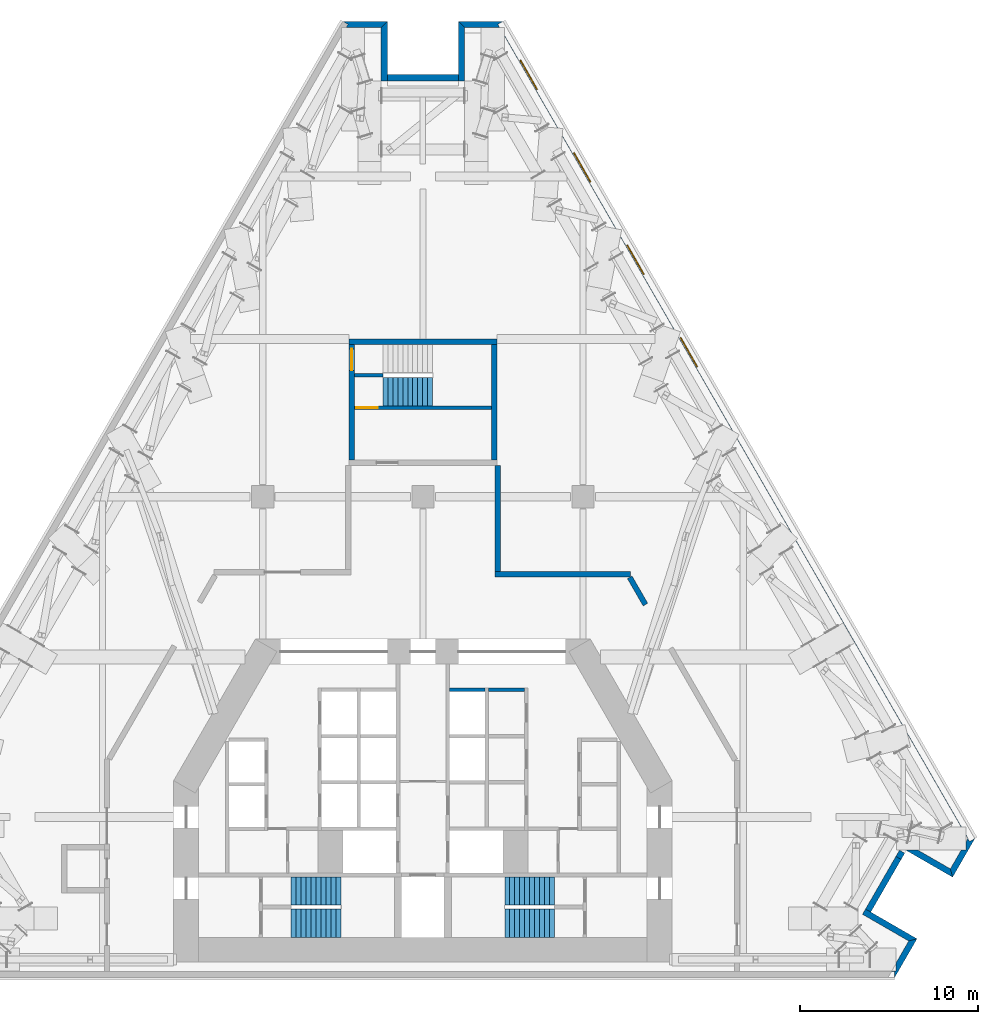
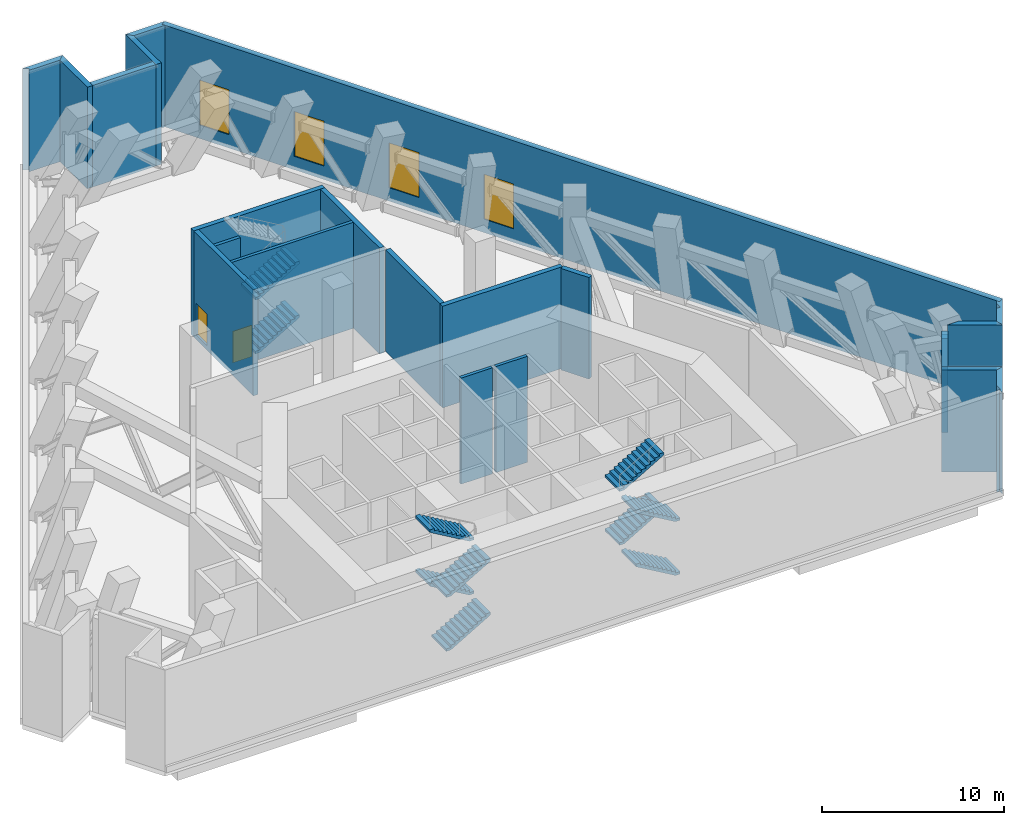
# One storey, part 8 of 12: 22 walls, 10 stair flights, 4 windows, 2 doors, 6 openings, 3 elements without a shape of their own.
"""IFC4 building model written with IfcOpenShell, lengths in metres."""

from ifc_helpers import new_model, si_unit, direction, frame, frame_2d, origin, place, context, subcontext, project, spatial, polyline, rectangle, outline, extrude, material, layer, layer_set, type_object, element, fill, aggregate, save


model = new_model("IFC4")

# Units and contexts
model_context = context("Model", 3, precision=1e-05, world=origin(), true_north=direction((0.0, 1.0)))
body_context = subcontext(model_context, "Body", "Model", "MODEL_VIEW")
ifc_project = project(units=[si_unit("LENGTHUNIT", "METRE"), si_unit("AREAUNIT", "SQUARE_METRE"), si_unit("VOLUMEUNIT", "CUBIC_METRE"), si_unit("PLANEANGLEUNIT", "RADIAN"), si_unit("MASSUNIT", "GRAM", prefix="KILO")], contexts=[model_context])

# Site, building, storey
site_placement = place(None, origin())
site = spatial("IfcSite", under=ifc_project, at=site_placement, CompositionType="ELEMENT")
building_placement = place(site_placement, origin())
building = spatial("IfcBuilding", under=site, at=building_placement, Name="Fogline Exchange Tower", CompositionType="ELEMENT")
storey_placement = place(building_placement, frame((0.0, 0.0, 88.89990234375)))
storey = spatial("IfcBuildingStorey", under=building, at=storey_placement, Name="L19", CompositionType="ELEMENT", Elevation=88.89990234375)

# Wall
ifc_material_1 = material(Name="Concrete C40", Category="concrete")
ifc_layer_1 = layer(ifc_material_1, 0.199951171875)
ifc_layer_set_1 = layer_set([ifc_layer_1], Name="CW20B")
wall_type_1 = type_object("IfcWallType", Name="CW20B", PredefinedType="SOLIDWALL", material=ifc_layer_set_1)
wall_1_placement = place(storey_placement, frame((-3.85009765625, 33.83203125, 0.0), z_axis=(0.0, 0.0, 1.0), x_axis=(1.0, 0.0, 0.0)))
element("IfcWall", 1, at=wall_1_placement, inside=storey, type_object=wall_type_1, Name="Stair separation wall ST3", PredefinedType="SOLIDWALL", context=body_context, shape_type="SweptSolid", body=[
    extrude(rectangle(XDim=1.60009765625, YDim=0.199951171875, at=frame_2d((0.800048828125, 0.0))), origin(), (0.0, 0.0, 1.0), 6.800048828125),
])

# Wall, opening, door
ifc_layer_2 = layer(ifc_material_1, 0.199951171875)
ifc_layer_set_2 = layer_set([ifc_layer_2], Name="CW20R")
wall_type_2 = type_object("IfcWallType", Name="CW20R", PredefinedType="SOLIDWALL", material=ifc_layer_set_2)
wall_2_placement = place(storey_placement, frame((-3.85009765625, 32.007080078125, -0.2998046875), z_axis=(0.0, 0.0, 1.0), x_axis=(1.0, 0.0, 0.0)))
wall_2 = element("IfcWall", 2, at=wall_2_placement, inside=storey, type_object=wall_type_2, Name="Stair enclosure wall ST3", PredefinedType="SOLIDWALL", context=body_context, shape_type="SweptSolid", body=[
    extrude(rectangle(XDim=7.7001953125, YDim=0.199951171875, at=frame_2d((3.85009765625, 0.0))), origin(), (0.0, 0.0, 1.0), 7.099853515625),
])
opening_1_placement = place(wall_2_placement, frame((0.10009765625, 0.0, 0.300048828125)))
opening_1 = element("IfcOpeningElement", 3, at=opening_1_placement, cuts=wall_2, Name="Opening L19-C024", PredefinedType="OPENING", context=body_context, shape_type="SweptSolid", body=[
    extrude(rectangle(XDim=1.199951171875, YDim=2.10009765625, at=frame_2d((0.60009765625, 1.050048828125))), frame((0.0, 0.10986328125, 0.0), z_axis=(0.0, -1.0, 0.0), x_axis=(1.0, 0.0, 0.0)), (0.0, 0.0, 1.0), 0.219970703125),
])
ifc_material_2 = material(Name="Steel and timber fire door", Category="steel")
door_type = type_object("IfcDoorType", Name="D-ST1", OperationType="SINGLE_SWING_LEFT", PredefinedType="DOOR", material=ifc_material_2)
door_1_placement = place(opening_1_placement, origin())
door_1 = element("IfcDoor", 4, at=door_1_placement, inside=storey, type_object=door_type, Name="Stair door ST3", OperationType="SINGLE_SWING_LEFT", OverallHeight=2.10009765625, OverallWidth=1.199951171875, PredefinedType="DOOR", context=body_context, shape_type="SweptSolid", body=[
    extrude(rectangle(XDim=1.199951171875, YDim=2.10009765625, at=frame_2d((0.60009765625, 1.050048828125))), frame((0.0, 0.02490234375, 0.0), z_axis=(0.0, -1.0, 0.0), x_axis=(1.0, 0.0, 0.0)), (0.0, 0.0, 1.0), 0.050048828125),
])
fill(opening_1, door_1)

# Walls
ifc_layer_3 = layer(ifc_material_1, 0.199951171875)
ifc_layer_set_3 = layer_set([ifc_layer_3], Name="CW20S")
wall_type_3 = type_object("IfcWallType", Name="CW20S", PredefinedType="SOLIDWALL", material=ifc_layer_set_3)
for number, where, z_axis, x_axis, name in (
    (5, (3.699951171875, 16.14990234375, -0.2998046875), (0.0, 0.0, 1.0), (1.0, 0.0, 0.0), "Lift shaft wall"),
    (6, (1.5, 16.14990234375, -0.2998046875), (0.0, 0.0, 1.0), (1.0, 0.0, 0.0), "Lift shaft wall"),
):
    element("IfcWall", number, at=place(storey_placement, frame(where, z_axis=z_axis, x_axis=x_axis)), inside=storey, type_object=wall_type_3, Name=name, PredefinedType="SOLIDWALL", context=body_context, shape_type="SweptSolid", body=[
        extrude(rectangle(XDim=2.0, YDim=0.199951171875, at=frame_2d((1.0, 0.0))), origin(), (0.0, 0.0, 1.0), 7.099853515625),
    ])
ifc_layer_4 = layer(ifc_material_1, 0.300048828125)
ifc_layer_set_4 = layer_set([ifc_layer_4], Name="CW30")
wall_type_4 = type_object("IfcWallType", Name="CW30", PredefinedType="SOLIDWALL", material=ifc_layer_set_4)
wall_3_placement = place(storey_placement, frame((-4.14990234375, 35.70703125, -0.2998046875), z_axis=(0.0, 0.0, 1.0), x_axis=(1.0, 0.0, 0.0)))
element("IfcWall", 7, at=wall_3_placement, inside=storey, type_object=wall_type_4, Name="Stair enclosure wall ST3", PredefinedType="SOLIDWALL", context=body_context, shape_type="SweptSolid", body=[
    extrude(rectangle(XDim=8.2998046875, YDim=0.300048828125, at=frame_2d((4.14990234375, 0.0))), origin(), (0.0, 0.0, 1.0), 7.099853515625),
])

# Wall, opening, door
wall_4_placement = place(storey_placement, frame((-4.0, 29.056884765625, -0.2998046875), z_axis=(0.0, 0.0, 1.0), x_axis=(0.0, 1.0, 0.0)))
wall_4 = element("IfcWall", 8, at=wall_4_placement, inside=storey, type_object=wall_type_4, Name="Stair enclosure wall ST3", PredefinedType="SOLIDWALL", context=body_context, shape_type="SweptSolid", body=[
    extrude(rectangle(XDim=6.5, YDim=0.300048828125, at=frame_2d((3.25, 0.0))), origin(), (0.0, 0.0, 1.0), 7.099853515625),
])
opening_2_placement = place(wall_4_placement, frame((5.050048828125, 0.0, 0.300048828125)))
opening_2 = element("IfcOpeningElement", 9, at=opening_2_placement, cuts=wall_4, Name="Opening L19-C025", PredefinedType="OPENING", context=body_context, shape_type="SweptSolid", body=[
    extrude(rectangle(XDim=1.199951171875, YDim=2.10009765625, at=frame_2d((0.60009765625, 1.050048828125))), frame((0.0, 0.16015625, 0.0), z_axis=(0.0, -1.0, 0.0), x_axis=(1.0, 0.0, 0.0)), (0.0, 0.0, 1.0), 0.320068359375),
])
door_2_placement = place(opening_2_placement, origin())
door_2 = element("IfcDoor", 10, at=door_2_placement, inside=storey, type_object=door_type, Name="Stair arrival door ST3", OperationType="SINGLE_SWING_RIGHT", OverallHeight=2.10009765625, OverallWidth=1.199951171875, PredefinedType="DOOR", context=body_context, shape_type="SweptSolid", body=[
    extrude(rectangle(XDim=1.199951171875, YDim=2.10009765625, at=frame_2d((0.60009765625, 1.050048828125))), frame((0.0, 0.02490234375, 0.0), z_axis=(0.0, -1.0, 0.0), x_axis=(1.0, 0.0, 0.0)), (0.0, 0.0, 1.0), 0.050048828125),
])
fill(opening_2, door_2)

# Walls
wall_5_placement = place(storey_placement, frame((4.0, 29.056884765625, -0.2998046875), z_axis=(0.0, 0.0, 1.0), x_axis=(0.0, 1.0, 0.0)))
element("IfcWall", 11, at=wall_5_placement, inside=storey, type_object=wall_type_4, Name="Stair enclosure wall ST3", PredefinedType="SOLIDWALL", context=body_context, shape_type="SweptSolid", body=[
    extrude(rectangle(XDim=6.5, YDim=0.300048828125, at=frame_2d((3.25, 0.0))), origin(), (0.0, 0.0, 1.0), 7.099853515625),
])
ifc_material_3 = material(Name="Brick masonry", Category="masonry")
ifc_layer_5 = layer(ifc_material_3, 0.340087890625)
ifc_layer_set_5 = layer_set([ifc_layer_5], Name="FW3")
wall_type_5 = type_object("IfcWallType", Name="FW3", PredefinedType="SOLIDWALL", material=ifc_layer_set_5)
wall_6_placement = place(storey_placement, origin())
element("IfcWall", 12, at=wall_6_placement, inside=storey, type_object=wall_type_5, Name="Brick wall L19 SE-c1", PredefinedType="SOLIDWALL", context=body_context, shape_type="SweptSolid", body=[
    extrude(outline(polyline([(27.761474609375, 2.165771484375), (26.510498046875, -0.001220703125), (26.509765625, -0.0009765625), (26.509765625, 0.33935546875), (26.31298828125, 0.33935546875), (26.3193359375, 0.35009765625), (26.5830078125, 0.35009765625), (26.5830078125, 0.80712890625), (27.295654296875, 2.041015625), (27.76123046875, 2.166015625), (27.761474609375, 2.165771484375)])), origin(), (0.0, 0.0, 1.0), 6.800048828125),
])
wall_7_placement = place(storey_placement, origin())
element("IfcWall", 13, at=wall_7_placement, inside=storey, type_object=wall_type_5, Name="Brick wall L19 SE-s1", PredefinedType="SOLIDWALL", context=body_context, shape_type="SweptSolid", body=[
    extrude(outline(polyline([(24.697021484375, 3.540283203125), (24.86767578125, 3.8359375), (25.16259765625, 3.66552734375), (27.76171875, 2.1650390625), (27.76171875, 2.164794921875), (27.2958984375, 2.0400390625), (24.697021484375, 3.540283203125)])), origin(), (0.0, 0.0, 1.0), 6.800048828125),
])
wall_8_placement = place(storey_placement, frame((25.01513671875, 3.75, 0.0), z_axis=(0.0, 0.0, 1.0), x_axis=(0.499982281718, 0.866035633198, 0.0)))
element("IfcWall", 14, at=wall_8_placement, inside=storey, type_object=wall_type_5, Name="Brick wall L19 SE-bk", PredefinedType="SOLIDWALL", context=body_context, shape_type="SweptSolid", body=[
    extrude(rectangle(XDim=3.416015625, YDim=0.340087890625, at=frame_2d((1.7080078125, 0.0))), origin(), (0.0, 0.0, 1.0), 6.800048828125),
])
wall_9_placement = place(storey_placement, frame((26.72314453125, 6.70849609375, 0.0), z_axis=(0.0, 0.0, 1.0), x_axis=(0.500418219013, 0.865783810244, 0.0)))
element("IfcWall", 15, at=wall_9_placement, inside=storey, type_object=wall_type_5, Name="Brick wall L19 SE-bk", PredefinedType="SOLIDWALL", context=body_context, shape_type="SweptSolid", body=[
    extrude(rectangle(XDim=0.405029296875, YDim=0.340087890625, at=frame_2d((0.20263671875, 0.0))), origin(), (0.0, 0.0, 1.0), 6.300048828125),
])
wall_10_placement = place(storey_placement, origin())
element("IfcWall", 16, at=wall_10_placement, inside=storey, type_object=wall_type_5, Name="Brick wall L19 SE-s2", PredefinedType="SOLIDWALL", context=body_context, shape_type="SweptSolid", body=[
    extrude(outline(polyline([(29.760986328125, 5.628173828125), (27.162109375, 7.128662109375), (27.135009765625, 7.144287109375), (27.817626953125, 7.144287109375), (29.636474609375, 6.093994140625), (29.76123046875, 5.62841796875), (29.760986328125, 5.628173828125)])), origin(), (0.0, 0.0, 1.0), 6.800048828125),
])
wall_11_placement = place(storey_placement, origin())
element("IfcWall", 17, at=wall_11_placement, inside=storey, type_object=wall_type_5, Name="Brick wall L19 SE-c2", PredefinedType="SOLIDWALL", context=body_context, shape_type="SweptSolid", body=[
    extrude(outline(polyline([(30.241943359375, 7.144287109375), (30.505615234375, 7.144287109375), (30.505615234375, 7.601318359375), (30.617919921875, 7.79541015625), (30.71630859375, 7.625), (31.010986328125, 7.79541015625), (31.011474609375, 7.794921875), (29.760498046875, 5.6279296875), (29.760009765625, 5.6279296875), (29.63525390625, 6.09375), (30.241943359375, 7.144287109375)])), origin(), (0.0, 0.0, 1.0), 6.800048828125),
])

# Wall, openings, windows
wall_12_placement = place(storey_placement, frame((30.86328125, 7.709228515625, 0.0), z_axis=(0.0, 0.0, 1.0), x_axis=(-0.500000400847, 0.866025172355, 0.0)))
wall_12 = element("IfcWall", 18, at=wall_12_placement, inside=storey, type_object=wall_type_5, Name="Brick wall L19 E", PredefinedType="SOLIDWALL", context=body_context, shape_type="SweptSolid", body=[
    extrude(rectangle(XDim=53.02099609375, YDim=0.340087890625, at=frame_2d((26.510498046875, 0.0))), origin(), (0.0, 0.0, 1.0), 6.800048828125),
])
opening_3_placement = place(wall_12_placement, frame((30.755126953125, 0.0, 0.89990234375)))
opening_3 = element("IfcOpeningElement", 19, at=opening_3_placement, cuts=wall_12, Name="Opening W6", PredefinedType="OPENING", context=body_context, shape_type="SweptSolid", body=[
    extrude(rectangle(XDim=1.885009765625, YDim=3.0, at=frame_2d((0.9423828125, 1.5))), frame((0.0, 0.18017578125, 0.0), z_axis=(0.0, -1.0, 0.0), x_axis=(1.0, 0.0, 0.0)), (0.0, 0.0, 1.0), 0.360107421875),
])
opening_4_placement = place(wall_12_placement, frame((36.755126953125, 0.0, 0.89990234375)))
opening_4 = element("IfcOpeningElement", 20, at=opening_4_placement, cuts=wall_12, Name="Opening W6", PredefinedType="OPENING", context=body_context, shape_type="SweptSolid", body=[
    extrude(rectangle(XDim=1.885009765625, YDim=3.0, at=frame_2d((0.9423828125, 1.5))), frame((0.0, 0.18017578125, 0.0), z_axis=(0.0, -1.0, 0.0), x_axis=(1.0, 0.0, 0.0)), (0.0, 0.0, 1.0), 0.360107421875),
])
opening_5_placement = place(wall_12_placement, frame((42.755126953125, 0.0, 0.89990234375)))
opening_5 = element("IfcOpeningElement", 21, at=opening_5_placement, cuts=wall_12, Name="Opening W6", PredefinedType="OPENING", context=body_context, shape_type="SweptSolid", body=[
    extrude(rectangle(XDim=1.885009765625, YDim=3.0, at=frame_2d((0.9423828125, 1.5))), frame((0.0, 0.18017578125, 0.0), z_axis=(0.0, -1.0, 0.0), x_axis=(1.0, 0.0, 0.0)), (0.0, 0.0, 1.0), 0.360107421875),
])
opening_6_placement = place(wall_12_placement, frame((48.755126953125, 0.0, 0.89990234375)))
opening_6 = element("IfcOpeningElement", 22, at=opening_6_placement, cuts=wall_12, Name="Opening W6", PredefinedType="OPENING", context=body_context, shape_type="SweptSolid", body=[
    extrude(rectangle(XDim=1.885009765625, YDim=3.0, at=frame_2d((0.9423828125, 1.5))), frame((0.0, 0.18017578125, 0.0), z_axis=(0.0, -1.0, 0.0), x_axis=(1.0, 0.0, 0.0)), (0.0, 0.0, 1.0), 0.360107421875),
])
ifc_material_4 = material(Name="Aluminium louvre", Category="aluminium")
window_type = type_object("IfcWindowType", Name="W6", PartitioningType="SINGLE_PANEL", PredefinedType="WINDOW", material=ifc_material_4)
window_1_placement = place(opening_3_placement, origin())
window_1 = element("IfcWindow", 23, at=window_1_placement, inside=storey, type_object=window_type, Name="W6 W6", OverallHeight=3.0, OverallWidth=1.885009765625, PartitioningType="SINGLE_PANEL", PredefinedType="WINDOW", context=body_context, shape_type="SweptSolid", body=[
    extrude(rectangle(XDim=1.885009765625, YDim=3.0, at=frame_2d((0.9423828125, 1.5))), frame((0.0, 0.110107421875, 0.0), z_axis=(0.0, -1.0, 0.0), x_axis=(1.0, 0.0, 0.0)), (0.0, 0.0, 1.0), 0.06005859375),
])
fill(opening_3, window_1)
window_2_placement = place(opening_4_placement, origin())
window_2 = element("IfcWindow", 24, at=window_2_placement, inside=storey, type_object=window_type, Name="W6 W6", OverallHeight=3.0, OverallWidth=1.885009765625, PartitioningType="SINGLE_PANEL", PredefinedType="WINDOW", context=body_context, shape_type="SweptSolid", body=[
    extrude(rectangle(XDim=1.885009765625, YDim=3.0, at=frame_2d((0.9423828125, 1.5))), frame((0.0, 0.110107421875, 0.0), z_axis=(0.0, -1.0, 0.0), x_axis=(1.0, 0.0, 0.0)), (0.0, 0.0, 1.0), 0.06005859375),
])
fill(opening_4, window_2)
window_3_placement = place(opening_5_placement, origin())
window_3 = element("IfcWindow", 25, at=window_3_placement, inside=storey, type_object=window_type, Name="W6 W6", OverallHeight=3.0, OverallWidth=1.885009765625, PartitioningType="SINGLE_PANEL", PredefinedType="WINDOW", context=body_context, shape_type="SweptSolid", body=[
    extrude(rectangle(XDim=1.885009765625, YDim=3.0, at=frame_2d((0.9423828125, 1.5))), frame((0.0, 0.110107421875, 0.0), z_axis=(0.0, -1.0, 0.0), x_axis=(1.0, 0.0, 0.0)), (0.0, 0.0, 1.0), 0.06005859375),
])
fill(opening_5, window_3)
window_4_placement = place(opening_6_placement, origin())
window_4 = element("IfcWindow", 26, at=window_4_placement, inside=storey, type_object=window_type, Name="W6 W6", OverallHeight=3.0, OverallWidth=1.885009765625, PartitioningType="SINGLE_PANEL", PredefinedType="WINDOW", context=body_context, shape_type="SweptSolid", body=[
    extrude(rectangle(XDim=1.885009765625, YDim=3.0, at=frame_2d((0.9423828125, 1.5))), frame((0.0, 0.110107421875, 0.0), z_axis=(0.0, -1.0, 0.0), x_axis=(1.0, 0.0, 0.0)), (0.0, 0.0, 1.0), 0.06005859375),
])
fill(opening_6, window_4)

# Walls
wall_13_placement = place(storey_placement, origin())
element("IfcWall", 27, at=wall_13_placement, inside=storey, type_object=wall_type_5, Name="Brick wall L19 N-c1", PredefinedType="SOLIDWALL", context=body_context, shape_type="SweptSolid", body=[
    extrude(outline(polyline([(1.9990234375, 53.712158203125), (4.5009765625, 53.712158203125), (4.501220703125, 53.711669921875), (4.206298828125, 53.54150390625), (4.3046875, 53.37109375), (2.33984375, 53.37109375), (1.998779296875, 53.7119140625), (1.9990234375, 53.712158203125)])), origin(), (0.0, 0.0, 1.0), 6.800048828125),
])
wall_14_placement = place(storey_placement, origin())
element("IfcWall", 28, at=wall_14_placement, inside=storey, type_object=wall_type_5, Name="Brick wall L19 N-s1", PredefinedType="SOLIDWALL", context=body_context, shape_type="SweptSolid", body=[
    extrude(outline(polyline([(2.340576171875, 50.37109375), (1.99951171875, 50.37109375), (1.99951171875, 53.712646484375), (1.999755859375, 53.712890625), (2.340576171875, 53.371826171875), (2.340576171875, 50.37109375)])), origin(), (0.0, 0.0, 1.0), 6.800048828125),
])
wall_15_placement = place(storey_placement, frame((2.0, 50.541748046875, 0.0), z_axis=(0.0, 0.0, 1.0), x_axis=(-1.0, 0.0, 0.0)))
element("IfcWall", 29, at=wall_15_placement, inside=storey, type_object=wall_type_5, Name="Brick wall L19 N-bk", PredefinedType="SOLIDWALL", context=body_context, shape_type="SweptSolid", body=[
    extrude(rectangle(XDim=4.0, YDim=0.340087890625, at=frame_2d((2.0, 0.0))), origin(), (0.0, 0.0, 1.0), 6.800048828125),
])
wall_16_placement = place(storey_placement, origin())
element("IfcWall", 30, at=wall_16_placement, inside=storey, type_object=wall_type_5, Name="Brick wall L19 N-s2", PredefinedType="SOLIDWALL", context=body_context, shape_type="SweptSolid", body=[
    extrude(outline(polyline([(-1.99951171875, 53.712646484375), (-1.99951171875, 50.37109375), (-2.340576171875, 50.37109375), (-2.340576171875, 53.371826171875), (-1.999755859375, 53.712890625), (-1.99951171875, 53.712646484375)])), origin(), (0.0, 0.0, 1.0), 6.800048828125),
])
wall_17_placement = place(storey_placement, origin())
element("IfcWall", 31, at=wall_17_placement, inside=storey, type_object=wall_type_5, Name="Brick wall L19 N-c2", PredefinedType="SOLIDWALL", context=body_context, shape_type="SweptSolid", body=[
    extrude(outline(polyline([(-4.3046875, 53.37109375), (-4.206298828125, 53.54150390625), (-4.501220703125, 53.711669921875), (-4.5009765625, 53.712158203125), (-1.9990234375, 53.712158203125), (-1.998779296875, 53.7119140625), (-2.33984375, 53.37109375), (-4.3046875, 53.37109375)])), origin(), (0.0, 0.0, 1.0), 6.800048828125),
])
ifc_layer_6 = layer(ifc_material_1, 0.300048828125)
ifc_layer_set_6 = layer_set([ifc_layer_6], Name="PP4")
wall_type_6 = type_object("IfcWallType", Name="PP4", PredefinedType="SOLIDWALL", material=ifc_layer_set_6)
wall_18_placement = place(storey_placement, frame((4.050048828125, 22.64990234375, 0.0), z_axis=(0.0, 0.0, 1.0), x_axis=(1.0, 0.0, 0.0)))
element("IfcWall", 32, at=wall_18_placement, inside=storey, type_object=wall_type_6, Name="PP4 partition", PredefinedType="SOLIDWALL", context=body_context, shape_type="SweptSolid", body=[
    extrude(rectangle(XDim=7.618896484375, YDim=0.300048828125, at=frame_2d((3.8095703125, 0.0))), origin(), (0.0, 0.0, 1.0), 6.800048828125),
])
wall_19_placement = place(storey_placement, frame((4.199951171875, 28.757080078125, 0.0), z_axis=(0.0, 0.0, 1.0), x_axis=(0.0, -1.0, 0.0)))
element("IfcWall", 33, at=wall_19_placement, inside=storey, type_object=wall_type_6, Name="PP4 partition", PredefinedType="SOLIDWALL", context=body_context, shape_type="SweptSolid", body=[
    extrude(rectangle(XDim=5.95703125, YDim=0.300048828125, at=frame_2d((2.978515625, 0.0))), origin(), (0.0, 0.0, 1.0), 6.800048828125),
])
wall_20_placement = place(storey_placement, frame((11.621337890625, 22.472412109375, 0.0), z_axis=(0.0, 0.0, 1.0), x_axis=(0.500005731256, -0.866022094817, 0.0)))
element("IfcWall", 34, at=wall_20_placement, inside=storey, type_object=wall_type_6, Name="PP4 partition", PredefinedType="SOLIDWALL", context=body_context, shape_type="SweptSolid", body=[
    extrude(rectangle(XDim=1.765625, YDim=0.300048828125, at=frame_2d((0.8828125, 0.0))), origin(), (0.0, 0.0, 1.0), 6.800048828125),
])

# Stair, stair flights
stair_type = type_object("IfcStairType", Name="STR44-1636", PredefinedType="HALF_TURN_STAIR", material=ifc_material_1)
stair_1_placement = place(storey_placement, origin())
stair_1 = element("IfcStair", 35, at=stair_1_placement, inside=storey, type_object=stair_type, Name="Stair ST1", PredefinedType="HALF_TURN_STAIR")
stair_flight_type = type_object("IfcStairFlightType", Name="SF11-1636", PredefinedType="STRAIGHT", material=ifc_material_1)
stair_flight_1_placement = place(storey_placement, frame((-7.39990234375, 3.050048828125, 0.0), z_axis=(0.0, 0.0, 1.0), x_axis=(1.0, 0.0, 0.0)))
stair_flight_1 = element("IfcStairFlight", 36, at=stair_flight_1_placement, type_object=stair_flight_type, Name="ST1 flight 1", NumberOfRisers=11, NumberOfTreads=10, PredefinedType="STRAIGHT", RiserHeight=0.163636364, TreadLength=0.28, context=body_context, shape_type="SweptSolid", body=[
    extrude(outline(polyline([(0.0, 0.0), (0.0, 0.16357421875), (0.280029296875, 0.16357421875), (0.280029296875, 0.327392578125), (0.56005859375, 0.327392578125), (0.56005859375, 0.490966796875), (0.840087890625, 0.490966796875), (0.840087890625, 0.654541015625), (1.1201171875, 0.654541015625), (1.1201171875, 0.818115234375), (1.39990234375, 0.818115234375), (1.39990234375, 0.98193359375), (1.679931640625, 0.98193359375), (1.679931640625, 1.1455078125), (1.9599609375, 1.1455078125), (1.9599609375, 1.30908203125), (2.239990234375, 1.30908203125), (2.239990234375, 1.47265625), (2.52001953125, 1.47265625), (2.52001953125, 1.636474609375), (2.800048828125, 1.636474609375), (2.800048828125, 1.800048828125), (2.800048828125, 1.462646484375), (0.297119140625, 0.0), (0.0, 0.0)])), frame((0.0, 0.800048828125, 0.0), z_axis=(0.0, -1.0, 0.0), x_axis=(1.0, 0.0, 0.0)), (0.0, 0.0, 1.0), 1.60009765625),
])
stair_flight_2_placement = place(storey_placement, frame((-4.60009765625, 4.85009765625, 1.800048828125), z_axis=(0.0, 0.0, 1.0), x_axis=(-1.0, 0.0, 0.0)))
stair_flight_2 = element("IfcStairFlight", 37, at=stair_flight_2_placement, type_object=stair_flight_type, Name="ST1 flight 2", NumberOfRisers=11, NumberOfTreads=10, PredefinedType="STRAIGHT", RiserHeight=0.163636364, TreadLength=0.28, context=body_context, shape_type="SweptSolid", body=[
    extrude(outline(polyline([(0.0, 0.0), (0.0, 0.16357421875), (0.280029296875, 0.16357421875), (0.280029296875, 0.327392578125), (0.56005859375, 0.327392578125), (0.56005859375, 0.490966796875), (0.840087890625, 0.490966796875), (0.840087890625, 0.654541015625), (1.1201171875, 0.654541015625), (1.1201171875, 0.818115234375), (1.39990234375, 0.818115234375), (1.39990234375, 0.98193359375), (1.679931640625, 0.98193359375), (1.679931640625, 1.1455078125), (1.9599609375, 1.1455078125), (1.9599609375, 1.30908203125), (2.239990234375, 1.30908203125), (2.239990234375, 1.47265625), (2.52001953125, 1.47265625), (2.52001953125, 1.636474609375), (2.800048828125, 1.636474609375), (2.800048828125, 1.800048828125), (2.800048828125, 1.462646484375), (0.297119140625, 0.0), (0.0, 0.0)])), frame((0.0, 0.800048828125, 0.0), z_axis=(0.0, -1.0, 0.0), x_axis=(1.0, 0.0, 0.0)), (0.0, 0.0, 1.0), 1.60009765625),
])
stair_flight_3_placement = place(storey_placement, frame((-7.39990234375, 3.050048828125, 3.60009765625), z_axis=(0.0, 0.0, 1.0), x_axis=(1.0, 0.0, 0.0)))
stair_flight_3 = element("IfcStairFlight", 38, at=stair_flight_3_placement, type_object=stair_flight_type, Name="ST1 flight 3", NumberOfRisers=11, NumberOfTreads=10, PredefinedType="STRAIGHT", RiserHeight=0.163636364, TreadLength=0.28, context=body_context, shape_type="SweptSolid", body=[
    extrude(outline(polyline([(0.0, 0.0), (0.0, 0.16357421875), (0.280029296875, 0.16357421875), (0.280029296875, 0.327392578125), (0.56005859375, 0.327392578125), (0.56005859375, 0.490966796875), (0.840087890625, 0.490966796875), (0.840087890625, 0.654541015625), (1.1201171875, 0.654541015625), (1.1201171875, 0.818115234375), (1.39990234375, 0.818115234375), (1.39990234375, 0.98193359375), (1.679931640625, 0.98193359375), (1.679931640625, 1.1455078125), (1.9599609375, 1.1455078125), (1.9599609375, 1.30908203125), (2.239990234375, 1.30908203125), (2.239990234375, 1.47265625), (2.52001953125, 1.47265625), (2.52001953125, 1.636474609375), (2.800048828125, 1.636474609375), (2.800048828125, 1.800048828125), (2.800048828125, 1.462646484375), (0.297119140625, 0.0), (0.0, 0.0)])), frame((0.0, 0.800048828125, 0.0), z_axis=(0.0, -1.0, 0.0), x_axis=(1.0, 0.0, 0.0)), (0.0, 0.0, 1.0), 1.60009765625),
])
stair_flight_4_placement = place(storey_placement, frame((-4.60009765625, 4.85009765625, 5.400146484375), z_axis=(0.0, 0.0, 1.0), x_axis=(-1.0, 0.0, 0.0)))
stair_flight_4 = element("IfcStairFlight", 39, at=stair_flight_4_placement, type_object=stair_flight_type, Name="ST1 flight 4", NumberOfRisers=11, NumberOfTreads=10, PredefinedType="STRAIGHT", RiserHeight=0.163636364, TreadLength=0.28, context=body_context, shape_type="SweptSolid", body=[
    extrude(outline(polyline([(0.0, 0.0), (0.0, 0.16357421875), (0.280029296875, 0.16357421875), (0.280029296875, 0.327392578125), (0.56005859375, 0.327392578125), (0.56005859375, 0.490966796875), (0.840087890625, 0.490966796875), (0.840087890625, 0.654541015625), (1.1201171875, 0.654541015625), (1.1201171875, 0.818115234375), (1.39990234375, 0.818115234375), (1.39990234375, 0.98193359375), (1.679931640625, 0.98193359375), (1.679931640625, 1.1455078125), (1.9599609375, 1.1455078125), (1.9599609375, 1.30908203125), (2.239990234375, 1.30908203125), (2.239990234375, 1.47265625), (2.52001953125, 1.47265625), (2.52001953125, 1.636474609375), (2.800048828125, 1.636474609375), (2.800048828125, 1.800048828125), (2.800048828125, 1.462646484375), (0.297119140625, 0.0), (0.0, 0.0)])), frame((0.0, 0.800048828125, 0.0), z_axis=(0.0, -1.0, 0.0), x_axis=(1.0, 0.0, 0.0)), (0.0, 0.0, 1.0), 1.60009765625),
])
aggregate(stair_1, [stair_flight_1, stair_flight_2, stair_flight_3, stair_flight_4])

stair_2_placement = place(storey_placement, origin())
stair_2 = element("IfcStair", 40, at=stair_2_placement, inside=storey, type_object=stair_type, Name="Stair ST2", PredefinedType="HALF_TURN_STAIR")
stair_flight_5_placement = place(storey_placement, frame((7.39990234375, 3.050048828125, 0.0), z_axis=(0.0, 0.0, 1.0), x_axis=(-1.0, 0.0, 0.0)))
stair_flight_5 = element("IfcStairFlight", 41, at=stair_flight_5_placement, type_object=stair_flight_type, Name="ST2 flight 1", NumberOfRisers=11, NumberOfTreads=10, PredefinedType="STRAIGHT", RiserHeight=0.163636364, TreadLength=0.28, context=body_context, shape_type="SweptSolid", body=[
    extrude(outline(polyline([(0.0, 0.0), (0.0, 0.16357421875), (0.280029296875, 0.16357421875), (0.280029296875, 0.327392578125), (0.56005859375, 0.327392578125), (0.56005859375, 0.490966796875), (0.840087890625, 0.490966796875), (0.840087890625, 0.654541015625), (1.1201171875, 0.654541015625), (1.1201171875, 0.818115234375), (1.39990234375, 0.818115234375), (1.39990234375, 0.98193359375), (1.679931640625, 0.98193359375), (1.679931640625, 1.1455078125), (1.9599609375, 1.1455078125), (1.9599609375, 1.30908203125), (2.239990234375, 1.30908203125), (2.239990234375, 1.47265625), (2.52001953125, 1.47265625), (2.52001953125, 1.636474609375), (2.800048828125, 1.636474609375), (2.800048828125, 1.800048828125), (2.800048828125, 1.462646484375), (0.297119140625, 0.0), (0.0, 0.0)])), frame((0.0, 0.800048828125, 0.0), z_axis=(0.0, -1.0, 0.0), x_axis=(1.0, 0.0, 0.0)), (0.0, 0.0, 1.0), 1.60009765625),
])
stair_flight_6_placement = place(storey_placement, frame((4.60009765625, 4.85009765625, 1.800048828125), z_axis=(0.0, 0.0, 1.0), x_axis=(1.0, 0.0, 0.0)))
stair_flight_6 = element("IfcStairFlight", 42, at=stair_flight_6_placement, type_object=stair_flight_type, Name="ST2 flight 2", NumberOfRisers=11, NumberOfTreads=10, PredefinedType="STRAIGHT", RiserHeight=0.163636364, TreadLength=0.28, context=body_context, shape_type="SweptSolid", body=[
    extrude(outline(polyline([(0.0, 0.0), (0.0, 0.16357421875), (0.280029296875, 0.16357421875), (0.280029296875, 0.327392578125), (0.56005859375, 0.327392578125), (0.56005859375, 0.490966796875), (0.840087890625, 0.490966796875), (0.840087890625, 0.654541015625), (1.1201171875, 0.654541015625), (1.1201171875, 0.818115234375), (1.39990234375, 0.818115234375), (1.39990234375, 0.98193359375), (1.679931640625, 0.98193359375), (1.679931640625, 1.1455078125), (1.9599609375, 1.1455078125), (1.9599609375, 1.30908203125), (2.239990234375, 1.30908203125), (2.239990234375, 1.47265625), (2.52001953125, 1.47265625), (2.52001953125, 1.636474609375), (2.800048828125, 1.636474609375), (2.800048828125, 1.800048828125), (2.800048828125, 1.462646484375), (0.297119140625, 0.0), (0.0, 0.0)])), frame((0.0, 0.800048828125, 0.0), z_axis=(0.0, -1.0, 0.0), x_axis=(1.0, 0.0, 0.0)), (0.0, 0.0, 1.0), 1.60009765625),
])
stair_flight_7_placement = place(storey_placement, frame((7.39990234375, 3.050048828125, 3.60009765625), z_axis=(0.0, 0.0, 1.0), x_axis=(-1.0, 0.0, 0.0)))
stair_flight_7 = element("IfcStairFlight", 43, at=stair_flight_7_placement, type_object=stair_flight_type, Name="ST2 flight 3", NumberOfRisers=11, NumberOfTreads=10, PredefinedType="STRAIGHT", RiserHeight=0.163636364, TreadLength=0.28, context=body_context, shape_type="SweptSolid", body=[
    extrude(outline(polyline([(0.0, 0.0), (0.0, 0.16357421875), (0.280029296875, 0.16357421875), (0.280029296875, 0.327392578125), (0.56005859375, 0.327392578125), (0.56005859375, 0.490966796875), (0.840087890625, 0.490966796875), (0.840087890625, 0.654541015625), (1.1201171875, 0.654541015625), (1.1201171875, 0.818115234375), (1.39990234375, 0.818115234375), (1.39990234375, 0.98193359375), (1.679931640625, 0.98193359375), (1.679931640625, 1.1455078125), (1.9599609375, 1.1455078125), (1.9599609375, 1.30908203125), (2.239990234375, 1.30908203125), (2.239990234375, 1.47265625), (2.52001953125, 1.47265625), (2.52001953125, 1.636474609375), (2.800048828125, 1.636474609375), (2.800048828125, 1.800048828125), (2.800048828125, 1.462646484375), (0.297119140625, 0.0), (0.0, 0.0)])), frame((0.0, 0.800048828125, 0.0), z_axis=(0.0, -1.0, 0.0), x_axis=(1.0, 0.0, 0.0)), (0.0, 0.0, 1.0), 1.60009765625),
])
stair_flight_8_placement = place(storey_placement, frame((4.60009765625, 4.85009765625, 5.400146484375), z_axis=(0.0, 0.0, 1.0), x_axis=(1.0, 0.0, 0.0)))
stair_flight_8 = element("IfcStairFlight", 44, at=stair_flight_8_placement, type_object=stair_flight_type, Name="ST2 flight 4", NumberOfRisers=11, NumberOfTreads=10, PredefinedType="STRAIGHT", RiserHeight=0.163636364, TreadLength=0.28, context=body_context, shape_type="SweptSolid", body=[
    extrude(outline(polyline([(0.0, 0.0), (0.0, 0.16357421875), (0.280029296875, 0.16357421875), (0.280029296875, 0.327392578125), (0.56005859375, 0.327392578125), (0.56005859375, 0.490966796875), (0.840087890625, 0.490966796875), (0.840087890625, 0.654541015625), (1.1201171875, 0.654541015625), (1.1201171875, 0.818115234375), (1.39990234375, 0.818115234375), (1.39990234375, 0.98193359375), (1.679931640625, 0.98193359375), (1.679931640625, 1.1455078125), (1.9599609375, 1.1455078125), (1.9599609375, 1.30908203125), (2.239990234375, 1.30908203125), (2.239990234375, 1.47265625), (2.52001953125, 1.47265625), (2.52001953125, 1.636474609375), (2.800048828125, 1.636474609375), (2.800048828125, 1.800048828125), (2.800048828125, 1.462646484375), (0.297119140625, 0.0), (0.0, 0.0)])), frame((0.0, 0.800048828125, 0.0), z_axis=(0.0, -1.0, 0.0), x_axis=(1.0, 0.0, 0.0)), (0.0, 0.0, 1.0), 1.60009765625),
])
aggregate(stair_2, [stair_flight_5, stair_flight_6, stair_flight_7, stair_flight_8])

stair_3_placement = place(storey_placement, origin())
stair_3 = element("IfcStair", 45, at=stair_3_placement, inside=storey, type_object=stair_type, Name="Stair ST3", PredefinedType="HALF_TURN_STAIR")
stair_flight_9_placement = place(storey_placement, frame((-2.25, 32.906982421875, 0.0), z_axis=(0.0, 0.0, 1.0), x_axis=(1.0, 0.0, 0.0)))
stair_flight_9 = element("IfcStairFlight", 46, at=stair_flight_9_placement, type_object=stair_flight_type, Name="ST3 flight 1", NumberOfRisers=11, NumberOfTreads=10, PredefinedType="STRAIGHT", RiserHeight=0.163636364, TreadLength=0.28, context=body_context, shape_type="SweptSolid", body=[
    extrude(outline(polyline([(0.0, 0.0), (0.0, 0.16357421875), (0.280029296875, 0.16357421875), (0.280029296875, 0.327392578125), (0.56005859375, 0.327392578125), (0.56005859375, 0.490966796875), (0.840087890625, 0.490966796875), (0.840087890625, 0.654541015625), (1.1201171875, 0.654541015625), (1.1201171875, 0.818115234375), (1.39990234375, 0.818115234375), (1.39990234375, 0.98193359375), (1.679931640625, 0.98193359375), (1.679931640625, 1.1455078125), (1.9599609375, 1.1455078125), (1.9599609375, 1.30908203125), (2.239990234375, 1.30908203125), (2.239990234375, 1.47265625), (2.52001953125, 1.47265625), (2.52001953125, 1.636474609375), (2.800048828125, 1.636474609375), (2.800048828125, 1.800048828125), (2.800048828125, 1.462646484375), (0.297119140625, 0.0), (0.0, 0.0)])), frame((0.0, 0.800048828125, 0.0), z_axis=(0.0, -1.0, 0.0), x_axis=(1.0, 0.0, 0.0)), (0.0, 0.0, 1.0), 1.60009765625),
])
stair_flight_10_placement = place(storey_placement, frame((-2.25, 32.906982421875, 3.60009765625), z_axis=(0.0, 0.0, 1.0), x_axis=(1.0, 0.0, 0.0)))
stair_flight_10 = element("IfcStairFlight", 47, at=stair_flight_10_placement, type_object=stair_flight_type, Name="ST3 flight 3", NumberOfRisers=11, NumberOfTreads=10, PredefinedType="STRAIGHT", RiserHeight=0.163636364, TreadLength=0.28, context=body_context, shape_type="SweptSolid", body=[
    extrude(outline(polyline([(0.0, 0.0), (0.0, 0.16357421875), (0.280029296875, 0.16357421875), (0.280029296875, 0.327392578125), (0.56005859375, 0.327392578125), (0.56005859375, 0.490966796875), (0.840087890625, 0.490966796875), (0.840087890625, 0.654541015625), (1.1201171875, 0.654541015625), (1.1201171875, 0.818115234375), (1.39990234375, 0.818115234375), (1.39990234375, 0.98193359375), (1.679931640625, 0.98193359375), (1.679931640625, 1.1455078125), (1.9599609375, 1.1455078125), (1.9599609375, 1.30908203125), (2.239990234375, 1.30908203125), (2.239990234375, 1.47265625), (2.52001953125, 1.47265625), (2.52001953125, 1.636474609375), (2.800048828125, 1.636474609375), (2.800048828125, 1.800048828125), (2.800048828125, 1.462646484375), (0.297119140625, 0.0), (0.0, 0.0)])), frame((0.0, 0.800048828125, 0.0), z_axis=(0.0, -1.0, 0.0), x_axis=(1.0, 0.0, 0.0)), (0.0, 0.0, 1.0), 1.60009765625),
])
aggregate(stair_3, [stair_flight_9, stair_flight_10])

save(model, "model.ifc")
